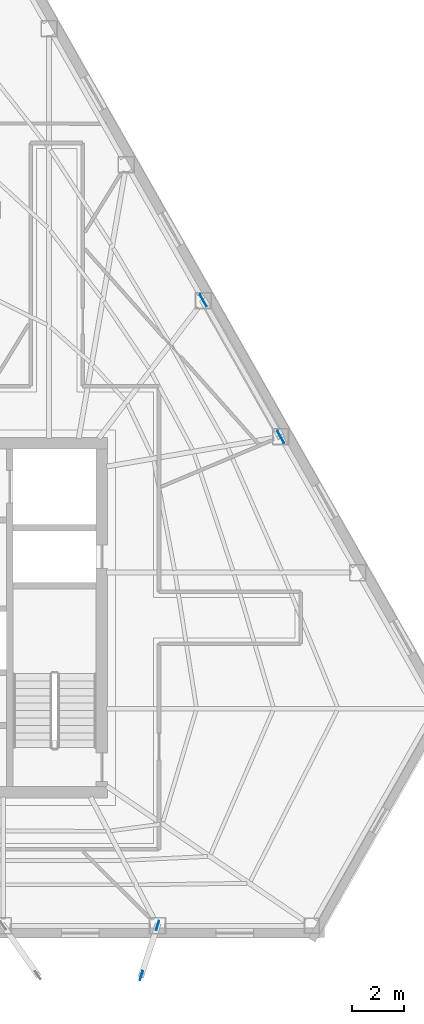
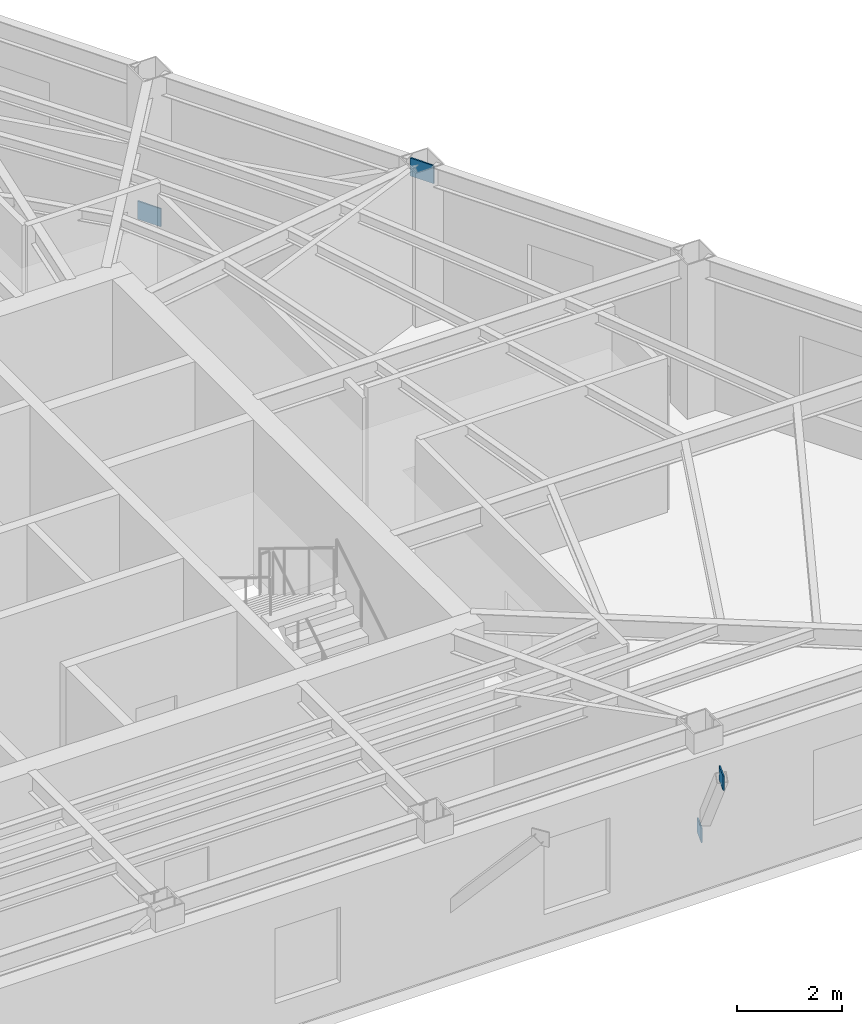
# One storey, part 6 of 11: 4 plates.
"""IFC4 building model written with IfcOpenShell, lengths in metres."""

from ifc_helpers import new_model, si_unit, direction, frame, origin, origin_2d, place, context, subcontext, project, spatial, rectangle, extrude, material, layer, layer_set, type_object, element, save


model = new_model("IFC4")

# Units and contexts
model_context = context("Model", 3, precision=1e-05, world=origin(), true_north=direction((0.0, 1.0)))
body_context = subcontext(model_context, "Body", "Model", "MODEL_VIEW")
ifc_project = project(units=[si_unit("LENGTHUNIT", "METRE"), si_unit("AREAUNIT", "SQUARE_METRE"), si_unit("VOLUMEUNIT", "CUBIC_METRE"), si_unit("PLANEANGLEUNIT", "RADIAN"), si_unit("MASSUNIT", "GRAM", prefix="KILO")], contexts=[model_context])

# Site, building, storey
site_placement = place(None, origin())
site = spatial("IfcSite", under=ifc_project, at=site_placement, CompositionType="ELEMENT")
building_placement = place(site_placement, origin())
building = spatial("IfcBuilding", under=site, at=building_placement, Name="Kavelnor Concourse Tower", CompositionType="ELEMENT")
storey_placement = place(building_placement, frame((0.0, 0.0, 165.0)))
storey = spatial("IfcBuildingStorey", under=building, at=storey_placement, Name="L41", CompositionType="ELEMENT", Elevation=165.0)

# Plates
ifc_material = material(Name="Steel Grade 350", Category="steel")
ifc_layer_1 = layer(ifc_material, 0.028076171875, Name="Steel Grade 350")
ifc_layer_set_1 = layer_set([ifc_layer_1], Name="Steel Grade 350")
plate_type_1 = type_object("IfcPlateType", Name="PL-GUSSET-FOLD", PredefinedType="USERDEFINED", material=ifc_layer_set_1)
for number, where, z_axis, x_axis, name in (
    (1, (49.8876953125, 4.247802734375, 0.8798828125), (0.0, 0.0, 1.0), (-0.310178698193, -0.950678271124, 0.0), "L41 Balcony Strut Gusset GP4 2-B End Gusset A"),
    (2, (49.260009765625, 2.32373046875, 3.48486328125), (0.0, 0.0, 1.0), (-0.310178698193, -0.950678271124, 0.0), "L41 Balcony Strut Gusset GP4 2-B End Gusset B"),
):
    element("IfcPlate", number, at=place(storey_placement, frame(where, z_axis=z_axis, x_axis=x_axis)), inside=storey, type_object=plate_type_1, Name=name, ObjectType="GUSSET_PLATE", PredefinedType="USERDEFINED", context=body_context, shape_type="SweptSolid", body=[
        extrude(rectangle(XDim=0.360107421875, YDim=0.028076171875, at=origin_2d()), origin(), (0.0, 0.0, 1.0), 0.340087890625),
    ])
ifc_layer_2 = layer(ifc_material, 0.031982421875, Name="Steel Grade 350")
ifc_layer_set_2 = layer_set([ifc_layer_2], Name="Steel Grade 350")
plate_type_2 = type_object("IfcPlateType", Name="PL-GUSSET-TUBE-Z1", PredefinedType="USERDEFINED", material=ifc_layer_set_2)
for number, where, z_axis, x_axis, name in (
    (3, (51.645751953125, 28.326171875, 0.010009765625), (0.0, 0.0, 1.0), (0.493334724289, -0.869839554062, 0.0), "L41 Tube Brace Gusset GP3 F2-B2 End Gusset A"),
    (4, (54.629638671875, 23.065673828125, 3.16015625), (0.0, 0.0, 1.0), (0.493334724289, -0.869839554062, 0.0), "L41 Tube Brace Gusset GP3 F2-B2 End Gusset B"),
):
    element("IfcPlate", number, at=place(storey_placement, frame(where, z_axis=z_axis, x_axis=x_axis)), inside=storey, type_object=plate_type_2, Name=name, ObjectType="GUSSET_PLATE", PredefinedType="USERDEFINED", context=body_context, shape_type="SweptSolid", body=[
        extrude(rectangle(XDim=0.52001953125, YDim=0.031982421875, at=origin_2d()), origin(), (0.0, 0.0, 1.0), 0.419921875),
    ])

save(model, "model.ifc")
